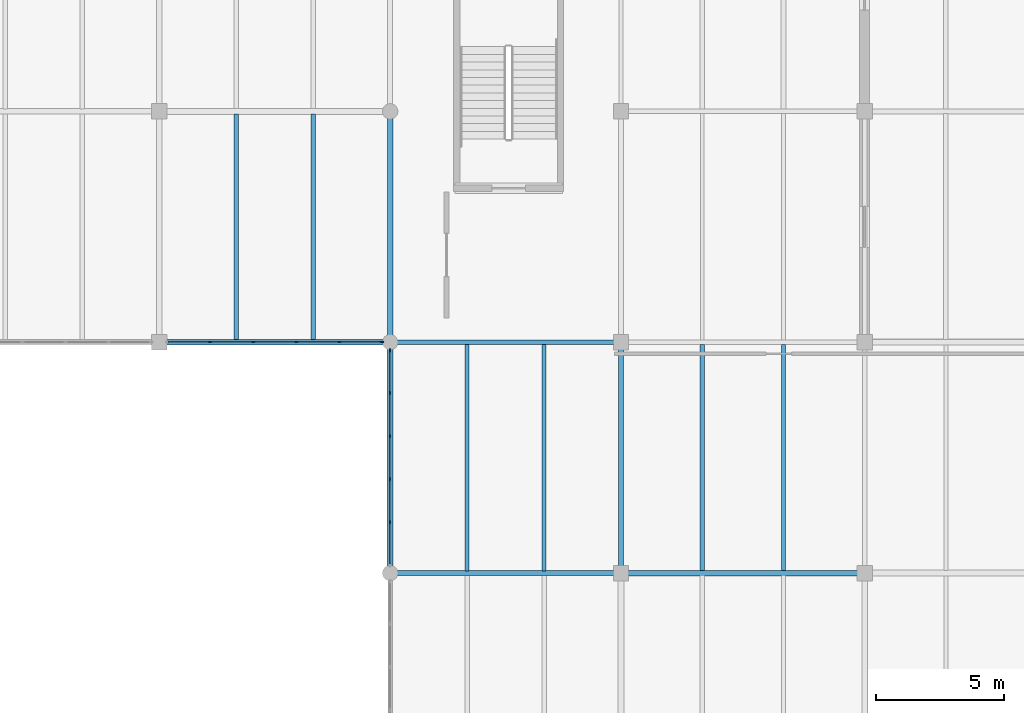
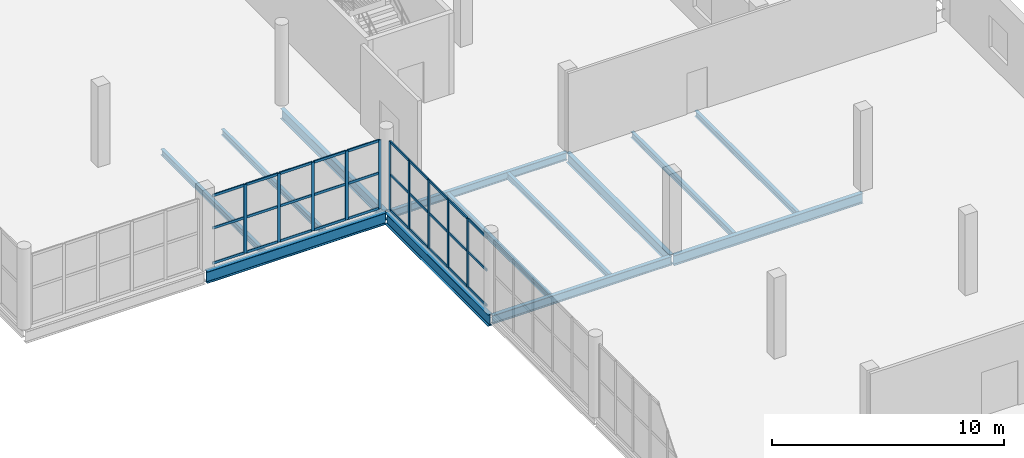
# One storey, part 43 of 73: 40 members, 13 beams, 2 elements without a shape of their own.
"""IFC4 building model written with IfcOpenShell, lengths in metres."""

from ifc_helpers import new_model, si_unit, direction, frame, origin, origin_2d, place, context, subcontext, project, spatial, rectangle, i_section, extrude, material, layer, layer_set, material_profile, profile_set, type_object, element, aggregate, save


model = new_model("IFC4")

# Units and contexts
model_context = context("Model", 3, precision=1e-05, world=origin(), true_north=direction((0.0, 1.0)))
body_context = subcontext(model_context, "Body", "Model", "MODEL_VIEW")
ifc_project = project(units=[si_unit("LENGTHUNIT", "METRE"), si_unit("AREAUNIT", "SQUARE_METRE"), si_unit("VOLUMEUNIT", "CUBIC_METRE"), si_unit("PLANEANGLEUNIT", "RADIAN"), si_unit("MASSUNIT", "GRAM", prefix="KILO")], contexts=[model_context])

# Site, building, storey
site_placement = place(None, origin())
site = spatial("IfcSite", under=ifc_project, at=site_placement, CompositionType="ELEMENT")
building_placement = place(site_placement, origin())
building = spatial("IfcBuilding", under=site, at=building_placement, Name="Marnock Terrace Opera House", CompositionType="ELEMENT")
storey_placement = place(building_placement, frame((0.0, 0.0, 14.699951171875)))
storey = spatial("IfcBuildingStorey", under=building, at=storey_placement, Name="L03", CompositionType="ELEMENT", Elevation=14.699951171875)

# Beams
ifc_material_1 = material(Name="Steel Grade 350 (AS/NZS 3679.1)", Category="steel")
ifc_material_profile_1 = material_profile(ifc_material_1, i_section(OverallWidth=0.177978515625, OverallDepth=0.402587890625, WebThickness=0.007568359375, FlangeThickness=0.010986328125, FilletRadius=0.011474609375, at=origin_2d()))
ifc_profile_set_1 = profile_set([ifc_material_profile_1], Name="Steel Grade 350 (AS/NZS 3679.1)")
beam_type_1 = type_object("IfcBeamType", Name="BM-GIRD-410", PredefinedType="BEAM", material=ifc_profile_set_1)
beam_1_placement = place(storey_placement, frame((136.050048828125, 66.0, -0.461181640625), z_axis=(1.0, 0.0, 0.0), x_axis=(0.0, 1.0, 0.0)))
element("IfcBeam", 1, at=beam_1_placement, inside=storey, type_object=beam_type_1, Name="L03 girder (136.0..145.0, Y=66.0)", PredefinedType="BEAM", context=body_context, shape_type="SweptSolid", body=[
    extrude(i_section(OverallWidth=0.177978515625, OverallDepth=0.402587890625, WebThickness=0.007568359375, FlangeThickness=0.010986328125, FilletRadius=0.011474609375, at=origin_2d()), origin(), (0.0, 0.0, 1.0), 8.89990234375),
])
ifc_material_profile_2 = material_profile(ifc_material_1, i_section(OverallWidth=0.19091796875, OverallDepth=0.46044921875, WebThickness=0.010009765625, FlangeThickness=0.01611328125, FilletRadius=0.011474609375, at=origin_2d()))
ifc_profile_set_2 = profile_set([ifc_material_profile_2], Name="Steel Grade 350 (AS/NZS 3679.1)")
beam_type_2 = type_object("IfcBeamType", Name="BM-GIRD-460A", PredefinedType="BEAM", material=ifc_profile_set_2)
beam_2_placement = place(storey_placement, frame((136.050048828125, 57.0, -0.490234375), z_axis=(1.0, 0.0, 0.0), x_axis=(0.0, 1.0, 0.0)))
element("IfcBeam", 2, at=beam_2_placement, inside=storey, type_object=beam_type_2, Name="L03 girder (136.0..145.0, Y=57.0)", PredefinedType="BEAM", context=body_context, shape_type="SweptSolid", body=[
    extrude(i_section(OverallWidth=0.19091796875, OverallDepth=0.46044921875, WebThickness=0.010009765625, FlangeThickness=0.01611328125, FilletRadius=0.011474609375, at=origin_2d()), origin(), (0.0, 0.0, 1.0), 8.89990234375),
])
ifc_material_profile_3 = material_profile(ifc_material_1, i_section(OverallWidth=0.208984375, OverallDepth=0.532958984375, WebThickness=0.01025390625, FlangeThickness=0.015625, FilletRadius=0.013916015625, at=origin_2d()))
ifc_profile_set_3 = profile_set([ifc_material_profile_3], Name="Steel Grade 350 (AS/NZS 3679.1)")
beam_type_3 = type_object("IfcBeamType", Name="BM-GIRD-530A", PredefinedType="BEAM", material=ifc_profile_set_3)
beam_3_placement = place(storey_placement, frame((145.050048828125, 57.0, -0.5263671875), z_axis=(1.0, 0.0, 0.0), x_axis=(0.0, 1.0, 0.0)))
element("IfcBeam", 3, at=beam_3_placement, inside=storey, type_object=beam_type_3, Name="L03 girder (145.0..154.5, Y=57.0)", PredefinedType="BEAM", context=body_context, shape_type="SweptSolid", body=[
    extrude(i_section(OverallWidth=0.208984375, OverallDepth=0.532958984375, WebThickness=0.01025390625, FlangeThickness=0.015625, FilletRadius=0.013916015625, at=origin_2d()), origin(), (0.0, 0.0, 1.0), 9.39990234375),
])
ifc_material_profile_4 = material_profile(ifc_material_1, i_section(OverallWidth=0.208984375, OverallDepth=0.528076171875, WebThickness=0.009521484375, FlangeThickness=0.01318359375, FilletRadius=0.013916015625, at=origin_2d()))
ifc_profile_set_4 = profile_set([ifc_material_profile_4], Name="Steel Grade 350 (AS/NZS 3679.1)")
beam_type_4 = type_object("IfcBeamType", Name="BM-GIRD-530B", PredefinedType="BEAM", material=ifc_profile_set_4)
for number, where, z_axis, x_axis, name in (
    (4, (136.0, 66.050048828125, -0.52392578125), (0.0, 1.0, 0.0), (-1.0, 0.0, 0.0), "L03 girder (X=136.0, 66.0..75.0)"),
    (5, (145.0, 57.050048828125, -0.52392578125), (0.0, 1.0, 0.0), (-1.0, 0.0, 0.0), "L03 girder (X=145.0, 57.0..66.0)"),
):
    element("IfcBeam", number, at=place(storey_placement, frame(where, z_axis=z_axis, x_axis=x_axis)), inside=storey, type_object=beam_type_4, Name=name, PredefinedType="BEAM", context=body_context, shape_type="SweptSolid", body=[
        extrude(i_section(OverallWidth=0.208984375, OverallDepth=0.528076171875, WebThickness=0.009521484375, FlangeThickness=0.01318359375, FilletRadius=0.013916015625, at=origin_2d()), origin(), (0.0, 0.0, 1.0), 8.89990234375),
    ])
ifc_material_profile_5 = material_profile(ifc_material_1, i_section(OverallWidth=0.22900390625, OverallDepth=0.611572265625, WebThickness=0.011962890625, FlangeThickness=0.01953125, FilletRadius=0.013916015625, at=origin_2d()))
ifc_profile_set_5 = profile_set([ifc_material_profile_5], Name="Steel Grade 350 (AS/NZS 3679.1)")
beam_type_5 = type_object("IfcBeamType", Name="BM-GIRD-610A", PredefinedType="BEAM", material=ifc_profile_set_5)
beam_4_placement = place(storey_placement, frame((127.050048828125, 66.0, -0.565673828125), z_axis=(1.0, 0.0, 0.0), x_axis=(0.0, 1.0, 0.0)))
element("IfcBeam", 6, at=beam_4_placement, inside=storey, type_object=beam_type_5, Name="L03 girder (127.0..136.0, Y=66.0)", PredefinedType="BEAM", context=body_context, shape_type="SweptSolid", body=[
    extrude(i_section(OverallWidth=0.22900390625, OverallDepth=0.611572265625, WebThickness=0.011962890625, FlangeThickness=0.01953125, FilletRadius=0.013916015625, at=origin_2d()), origin(), (0.0, 0.0, 1.0), 8.89990234375),
])
ifc_material_profile_6 = material_profile(ifc_material_1, i_section(OverallWidth=0.22802734375, OverallDepth=0.60205078125, WebThickness=0.010498046875, FlangeThickness=0.014892578125, FilletRadius=0.013916015625, at=origin_2d()))
ifc_profile_set_6 = profile_set([ifc_material_profile_6], Name="Steel Grade 350 (AS/NZS 3679.1)")
beam_type_6 = type_object("IfcBeamType", Name="BM-GIRD-610C", PredefinedType="BEAM", material=ifc_profile_set_6)
beam_5_placement = place(storey_placement, frame((136.0, 57.050048828125, -0.56103515625), z_axis=(0.0, 1.0, 0.0), x_axis=(-1.0, 0.0, 0.0)))
element("IfcBeam", 7, at=beam_5_placement, inside=storey, type_object=beam_type_6, Name="L03 girder (X=136.0, 57.0..66.0)", PredefinedType="BEAM", context=body_context, shape_type="SweptSolid", body=[
    extrude(i_section(OverallWidth=0.22802734375, OverallDepth=0.60205078125, WebThickness=0.010498046875, FlangeThickness=0.014892578125, FilletRadius=0.013916015625, at=origin_2d()), origin(), (0.0, 0.0, 1.0), 8.89990234375),
])
ifc_material_profile_7 = material_profile(ifc_material_1, i_section(OverallWidth=0.166015625, OverallDepth=0.30712890625, WebThickness=0.006591796875, FlangeThickness=0.01171875, FilletRadius=0.011474609375, at=origin_2d()))
ifc_profile_set_7 = profile_set([ifc_material_profile_7], Name="Steel Grade 350 (AS/NZS 3679.1)")
beam_type_7 = type_object("IfcBeamType", Name="BM-JOIST-310A", PredefinedType="JOIST", material=ifc_profile_set_7)
for number, where, z_axis, x_axis, name in (
    (8, (130.0, 66.109619140625, -0.41357421875), (0.0, 1.0, 0.0), (-1.0, 0.0, 0.0), "L03 secondary joist 14.8.1"),
    (9, (133.0, 66.109619140625, -0.41357421875), (0.0, 1.0, 0.0), (-1.0, 0.0, 0.0), "L03 secondary joist 14.8.2"),
):
    element("IfcBeam", number, at=place(storey_placement, frame(where, z_axis=z_axis, x_axis=x_axis)), inside=storey, type_object=beam_type_7, Name=name, PredefinedType="JOIST", context=body_context, shape_type="SweptSolid", body=[
        extrude(i_section(OverallWidth=0.166015625, OverallDepth=0.30712890625, WebThickness=0.006591796875, FlangeThickness=0.01171875, FilletRadius=0.011474609375, at=origin_2d()), origin(), (0.0, 0.0, 1.0), 8.781494140625),
    ])
for number, where, z_axis, x_axis, name in (
    (10, (139.0, 57.090576171875, -0.41357421875), (0.0, 1.0, 0.0), (-1.0, 0.0, 0.0), "L03 secondary joist 15.7.1"),
    (11, (142.0, 57.090576171875, -0.41357421875), (0.0, 1.0, 0.0), (-1.0, 0.0, 0.0), "L03 secondary joist 15.7.2"),
):
    element("IfcBeam", number, at=place(storey_placement, frame(where, z_axis=z_axis, x_axis=x_axis)), inside=storey, type_object=beam_type_7, Name=name, PredefinedType="JOIST", context=body_context, shape_type="SweptSolid", body=[
        extrude(i_section(OverallWidth=0.166015625, OverallDepth=0.30712890625, WebThickness=0.006591796875, FlangeThickness=0.01171875, FilletRadius=0.011474609375, at=origin_2d()), origin(), (0.0, 0.0, 1.0), 8.825439453125),
    ])
ifc_material_profile_8 = material_profile(ifc_material_1, i_section(OverallWidth=0.1650390625, OverallDepth=0.3037109375, WebThickness=0.006103515625, FlangeThickness=0.01025390625, FilletRadius=0.011474609375, at=origin_2d()))
ifc_profile_set_8 = profile_set([ifc_material_profile_8], Name="Steel Grade 350 (AS/NZS 3679.1)")
beam_type_8 = type_object("IfcBeamType", Name="BM-JOIST-310B", PredefinedType="JOIST", material=ifc_profile_set_8)
for number, where, z_axis, x_axis, name in (
    (12, (148.166748046875, 57.099609375, -0.411865234375), (0.0, 1.0, 0.0), (-1.0, 0.0, 0.0), "L03 secondary joist 16.7.1"),
    (13, (151.333251953125, 57.099609375, -0.411865234375), (0.0, 1.0, 0.0), (-1.0, 0.0, 0.0), "L03 secondary joist 16.7.2"),
):
    element("IfcBeam", number, at=place(storey_placement, frame(where, z_axis=z_axis, x_axis=x_axis)), inside=storey, type_object=beam_type_8, Name=name, PredefinedType="JOIST", context=body_context, shape_type="SweptSolid", body=[
        extrude(i_section(OverallWidth=0.1650390625, OverallDepth=0.3037109375, WebThickness=0.006103515625, FlangeThickness=0.01025390625, FilletRadius=0.011474609375, at=origin_2d()), origin(), (0.0, 0.0, 1.0), 8.809814453125),
    ])

# Curtain wall, members
ifc_material_2 = material(Name="Anodised architectural bronze aluminium framing", Category="aluminium")
ifc_layer = layer(ifc_material_2, 0.159912109375)
ifc_layer_set = layer_set([ifc_layer], Name="Anodised architectural bronze aluminium framing")
curtain_wall_type = type_object("IfcCurtainWallType", Name="CW-LOGGIA-86x42", PredefinedType="NOTDEFINED", material=ifc_layer_set)
curtain_wall_1_placement = place(storey_placement, origin())
curtain_wall_1 = element("IfcCurtainWall", 14, at=curtain_wall_1_placement, inside=storey, type_object=curtain_wall_type, Name="L03 glazed Beaux-Arts colonnade curtain wall CW-V5-L03-CE3", PredefinedType="NOTDEFINED")
ifc_material_profile_9 = material_profile(ifc_material_2, rectangle(XDim=0.06005859375, YDim=0.14990234375, at=origin_2d()))
ifc_profile_set_9 = profile_set([ifc_material_profile_9], Name="Anodised architectural bronze aluminium framing")
member_type_1 = type_object("IfcMemberType", Name="CWM-60x150", PredefinedType="MULLION", material=ifc_profile_set_9)
member_1_placement = place(storey_placement, frame((136.0, 58.9775390625, 0.0), z_axis=(0.0, 0.0, 1.0), x_axis=(-1.0, 0.0, 0.0)))
member_1 = element("IfcMember", 15, at=member_1_placement, type_object=member_type_1, Name="CW-66 mullion 2", PredefinedType="MULLION", context=body_context, shape_type="SweptSolid", body=[
    extrude(rectangle(XDim=0.06005859375, YDim=0.14990234375, at=origin_2d()), origin(), (0.0, 0.0, 1.0), 3.6181640625),
])
member_2_placement = place(storey_placement, frame((136.0, 60.6591796875, 0.0), z_axis=(0.0, 0.0, 1.0), x_axis=(-1.0, 0.0, 0.0)))
member_2 = element("IfcMember", 16, at=member_2_placement, type_object=member_type_1, Name="CW-66 mullion 3", PredefinedType="MULLION", context=body_context, shape_type="SweptSolid", body=[
    extrude(rectangle(XDim=0.06005859375, YDim=0.14990234375, at=origin_2d()), origin(), (0.0, 0.0, 1.0), 3.6181640625),
])
member_3_placement = place(storey_placement, frame((136.0, 62.3408203125, 0.0), z_axis=(0.0, 0.0, 1.0), x_axis=(-1.0, 0.0, 0.0)))
member_3 = element("IfcMember", 17, at=member_3_placement, type_object=member_type_1, Name="CW-66 mullion 4", PredefinedType="MULLION", context=body_context, shape_type="SweptSolid", body=[
    extrude(rectangle(XDim=0.06005859375, YDim=0.14990234375, at=origin_2d()), origin(), (0.0, 0.0, 1.0), 3.6181640625),
])
member_4_placement = place(storey_placement, frame((136.0, 64.0224609375, 0.0), z_axis=(0.0, 0.0, 1.0), x_axis=(-1.0, 0.0, 0.0)))
member_4 = element("IfcMember", 18, at=member_4_placement, type_object=member_type_1, Name="CW-66 mullion 5", PredefinedType="MULLION", context=body_context, shape_type="SweptSolid", body=[
    extrude(rectangle(XDim=0.06005859375, YDim=0.14990234375, at=origin_2d()), origin(), (0.0, 0.0, 1.0), 3.6181640625),
])
member_5_placement = place(storey_placement, frame((136.0, 65.674072265625, 0.0), z_axis=(0.0, 0.0, 1.0), x_axis=(-1.0, 0.0, 0.0)))
member_5 = element("IfcMember", 19, at=member_5_placement, type_object=member_type_1, Name="CW-66 mullion 6", PredefinedType="MULLION", context=body_context, shape_type="SweptSolid", body=[
    extrude(rectangle(XDim=0.06005859375, YDim=0.14990234375, at=origin_2d()), origin(), (0.0, 0.0, 1.0), 3.6181640625),
])

curtain_wall_2_placement = place(storey_placement, origin())
curtain_wall_2 = element("IfcCurtainWall", 20, at=curtain_wall_2_placement, inside=storey, type_object=curtain_wall_type, Name="L03 glazed Beaux-Arts colonnade curtain wall CW-V5-L03-CN2", PredefinedType="NOTDEFINED")
member_6_placement = place(storey_placement, frame((128.9775390625, 66.0, 0.0), z_axis=(0.0, 0.0, 1.0), x_axis=(0.0, 1.0, 0.0)))
member_6 = element("IfcMember", 21, at=member_6_placement, type_object=member_type_1, Name="CW-66 mullion 2", PredefinedType="MULLION", context=body_context, shape_type="SweptSolid", body=[
    extrude(rectangle(XDim=0.06005859375, YDim=0.14990234375, at=origin_2d()), origin(), (0.0, 0.0, 1.0), 3.6083984375),
])
member_7_placement = place(storey_placement, frame((130.6591796875, 66.0, 0.0), z_axis=(0.0, 0.0, 1.0), x_axis=(0.0, 1.0, 0.0)))
member_7 = element("IfcMember", 22, at=member_7_placement, type_object=member_type_1, Name="CW-66 mullion 3", PredefinedType="MULLION", context=body_context, shape_type="SweptSolid", body=[
    extrude(rectangle(XDim=0.06005859375, YDim=0.14990234375, at=origin_2d()), origin(), (0.0, 0.0, 1.0), 3.6083984375),
])
member_8_placement = place(storey_placement, frame((132.3408203125, 66.0, 0.0), z_axis=(0.0, 0.0, 1.0), x_axis=(0.0, 1.0, 0.0)))
member_8 = element("IfcMember", 23, at=member_8_placement, type_object=member_type_1, Name="CW-66 mullion 4", PredefinedType="MULLION", context=body_context, shape_type="SweptSolid", body=[
    extrude(rectangle(XDim=0.06005859375, YDim=0.14990234375, at=origin_2d()), origin(), (0.0, 0.0, 1.0), 3.6083984375),
])
member_9_placement = place(storey_placement, frame((134.0224609375, 66.0, 0.0), z_axis=(0.0, 0.0, 1.0), x_axis=(0.0, 1.0, 0.0)))
member_9 = element("IfcMember", 24, at=member_9_placement, type_object=member_type_1, Name="CW-66 mullion 5", PredefinedType="MULLION", context=body_context, shape_type="SweptSolid", body=[
    extrude(rectangle(XDim=0.06005859375, YDim=0.14990234375, at=origin_2d()), origin(), (0.0, 0.0, 1.0), 3.6083984375),
])
member_10_placement = place(storey_placement, frame((135.674072265625, 66.0, 0.0), z_axis=(0.0, 0.0, 1.0), x_axis=(0.0, 1.0, 0.0)))
member_10 = element("IfcMember", 25, at=member_10_placement, type_object=member_type_1, Name="CW-66 mullion 6", PredefinedType="MULLION", context=body_context, shape_type="SweptSolid", body=[
    extrude(rectangle(XDim=0.06005859375, YDim=0.14990234375, at=origin_2d()), origin(), (0.0, 0.0, 1.0), 3.6083984375),
])

# Member
ifc_material_profile_10 = material_profile(ifc_material_2, rectangle(XDim=0.06005859375, YDim=0.1298828125, at=origin_2d()))
ifc_profile_set_10 = profile_set([ifc_material_profile_10], Name="Anodised architectural bronze aluminium framing")
member_type_2 = type_object("IfcMemberType", Name="CWT-60x130", PredefinedType="USERDEFINED", material=ifc_profile_set_10)
member_11_placement = place(storey_placement, frame((136.0, 57.35595703125, 0.030029296875), z_axis=(0.0, 1.0, 0.0), x_axis=(-1.0, 0.0, 0.0)))
member_11 = element("IfcMember", 26, at=member_11_placement, type_object=member_type_2, Name="CW-66 transom 1.1", ObjectType="TRANSOM", PredefinedType="USERDEFINED", context=body_context, shape_type="SweptSolid", body=[
    extrude(rectangle(XDim=0.06005859375, YDim=0.1298828125, at=origin_2d()), origin(), (0.0, 0.0, 1.0), 1.591552734375),
])

member_12_placement = place(storey_placement, frame((136.0, 57.35595703125, 1.88134765625), z_axis=(0.0, 1.0, 0.0), x_axis=(-1.0, 0.0, 0.0)))
member_12 = element("IfcMember", 27, at=member_12_placement, type_object=member_type_2, Name="CW-66 transom 1.2", ObjectType="TRANSOM", PredefinedType="USERDEFINED", context=body_context, shape_type="SweptSolid", body=[
    extrude(rectangle(XDim=0.06005859375, YDim=0.1298828125, at=origin_2d()), origin(), (0.0, 0.0, 1.0), 1.591552734375),
])

member_13_placement = place(storey_placement, frame((136.0, 57.35595703125, 3.588134765625), z_axis=(0.0, 1.0, 0.0), x_axis=(-1.0, 0.0, 0.0)))
member_13 = element("IfcMember", 28, at=member_13_placement, type_object=member_type_2, Name="CW-66 transom 1.3", ObjectType="TRANSOM", PredefinedType="USERDEFINED", context=body_context, shape_type="SweptSolid", body=[
    extrude(rectangle(XDim=0.06005859375, YDim=0.1298828125, at=origin_2d()), origin(), (0.0, 0.0, 1.0), 1.591552734375),
])

member_14_placement = place(storey_placement, frame((136.0, 59.007568359375, 0.030029296875), z_axis=(0.0, 1.0, 0.0), x_axis=(-1.0, 0.0, 0.0)))
member_14 = element("IfcMember", 29, at=member_14_placement, type_object=member_type_2, Name="CW-66 transom 2.1", ObjectType="TRANSOM", PredefinedType="USERDEFINED", context=body_context, shape_type="SweptSolid", body=[
    extrude(rectangle(XDim=0.06005859375, YDim=0.1298828125, at=origin_2d()), origin(), (0.0, 0.0, 1.0), 1.62158203125),
])

member_15_placement = place(storey_placement, frame((136.0, 59.007568359375, 1.88134765625), z_axis=(0.0, 1.0, 0.0), x_axis=(-1.0, 0.0, 0.0)))
member_15 = element("IfcMember", 30, at=member_15_placement, type_object=member_type_2, Name="CW-66 transom 2.2", ObjectType="TRANSOM", PredefinedType="USERDEFINED", context=body_context, shape_type="SweptSolid", body=[
    extrude(rectangle(XDim=0.06005859375, YDim=0.1298828125, at=origin_2d()), origin(), (0.0, 0.0, 1.0), 1.62158203125),
])

member_16_placement = place(storey_placement, frame((136.0, 59.007568359375, 3.588134765625), z_axis=(0.0, 1.0, 0.0), x_axis=(-1.0, 0.0, 0.0)))
member_16 = element("IfcMember", 31, at=member_16_placement, type_object=member_type_2, Name="CW-66 transom 2.3", ObjectType="TRANSOM", PredefinedType="USERDEFINED", context=body_context, shape_type="SweptSolid", body=[
    extrude(rectangle(XDim=0.06005859375, YDim=0.1298828125, at=origin_2d()), origin(), (0.0, 0.0, 1.0), 1.62158203125),
])

member_17_placement = place(storey_placement, frame((136.0, 60.689208984375, 0.030029296875), z_axis=(0.0, 1.0, 0.0), x_axis=(-1.0, 0.0, 0.0)))
member_17 = element("IfcMember", 32, at=member_17_placement, type_object=member_type_2, Name="CW-66 transom 3.1", ObjectType="TRANSOM", PredefinedType="USERDEFINED", context=body_context, shape_type="SweptSolid", body=[
    extrude(rectangle(XDim=0.06005859375, YDim=0.1298828125, at=origin_2d()), origin(), (0.0, 0.0, 1.0), 1.62158203125),
])

member_18_placement = place(storey_placement, frame((136.0, 60.689208984375, 1.88134765625), z_axis=(0.0, 1.0, 0.0), x_axis=(-1.0, 0.0, 0.0)))
member_18 = element("IfcMember", 33, at=member_18_placement, type_object=member_type_2, Name="CW-66 transom 3.2", ObjectType="TRANSOM", PredefinedType="USERDEFINED", context=body_context, shape_type="SweptSolid", body=[
    extrude(rectangle(XDim=0.06005859375, YDim=0.1298828125, at=origin_2d()), origin(), (0.0, 0.0, 1.0), 1.62158203125),
])

member_19_placement = place(storey_placement, frame((136.0, 60.689208984375, 3.588134765625), z_axis=(0.0, 1.0, 0.0), x_axis=(-1.0, 0.0, 0.0)))
member_19 = element("IfcMember", 34, at=member_19_placement, type_object=member_type_2, Name="CW-66 transom 3.3", ObjectType="TRANSOM", PredefinedType="USERDEFINED", context=body_context, shape_type="SweptSolid", body=[
    extrude(rectangle(XDim=0.06005859375, YDim=0.1298828125, at=origin_2d()), origin(), (0.0, 0.0, 1.0), 1.62158203125),
])

member_20_placement = place(storey_placement, frame((136.0, 62.370849609375, 0.030029296875), z_axis=(0.0, 1.0, 0.0), x_axis=(-1.0, 0.0, 0.0)))
member_20 = element("IfcMember", 35, at=member_20_placement, type_object=member_type_2, Name="CW-66 transom 4.1", ObjectType="TRANSOM", PredefinedType="USERDEFINED", context=body_context, shape_type="SweptSolid", body=[
    extrude(rectangle(XDim=0.06005859375, YDim=0.1298828125, at=origin_2d()), origin(), (0.0, 0.0, 1.0), 1.62158203125),
])

member_21_placement = place(storey_placement, frame((136.0, 62.370849609375, 1.88134765625), z_axis=(0.0, 1.0, 0.0), x_axis=(-1.0, 0.0, 0.0)))
member_21 = element("IfcMember", 36, at=member_21_placement, type_object=member_type_2, Name="CW-66 transom 4.2", ObjectType="TRANSOM", PredefinedType="USERDEFINED", context=body_context, shape_type="SweptSolid", body=[
    extrude(rectangle(XDim=0.06005859375, YDim=0.1298828125, at=origin_2d()), origin(), (0.0, 0.0, 1.0), 1.62158203125),
])

member_22_placement = place(storey_placement, frame((136.0, 62.370849609375, 3.588134765625), z_axis=(0.0, 1.0, 0.0), x_axis=(-1.0, 0.0, 0.0)))
member_22 = element("IfcMember", 37, at=member_22_placement, type_object=member_type_2, Name="CW-66 transom 4.3", ObjectType="TRANSOM", PredefinedType="USERDEFINED", context=body_context, shape_type="SweptSolid", body=[
    extrude(rectangle(XDim=0.06005859375, YDim=0.1298828125, at=origin_2d()), origin(), (0.0, 0.0, 1.0), 1.62158203125),
])

member_23_placement = place(storey_placement, frame((136.0, 64.052490234375, 0.030029296875), z_axis=(0.0, 1.0, 0.0), x_axis=(-1.0, 0.0, 0.0)))
member_23 = element("IfcMember", 38, at=member_23_placement, type_object=member_type_2, Name="CW-66 transom 5.1", ObjectType="TRANSOM", PredefinedType="USERDEFINED", context=body_context, shape_type="SweptSolid", body=[
    extrude(rectangle(XDim=0.06005859375, YDim=0.1298828125, at=origin_2d()), origin(), (0.0, 0.0, 1.0), 1.591552734375),
])

member_24_placement = place(storey_placement, frame((136.0, 64.052490234375, 1.88134765625), z_axis=(0.0, 1.0, 0.0), x_axis=(-1.0, 0.0, 0.0)))
member_24 = element("IfcMember", 39, at=member_24_placement, type_object=member_type_2, Name="CW-66 transom 5.2", ObjectType="TRANSOM", PredefinedType="USERDEFINED", context=body_context, shape_type="SweptSolid", body=[
    extrude(rectangle(XDim=0.06005859375, YDim=0.1298828125, at=origin_2d()), origin(), (0.0, 0.0, 1.0), 1.591552734375),
])

member_25_placement = place(storey_placement, frame((136.0, 64.052490234375, 3.588134765625), z_axis=(0.0, 1.0, 0.0), x_axis=(-1.0, 0.0, 0.0)))
member_25 = element("IfcMember", 40, at=member_25_placement, type_object=member_type_2, Name="CW-66 transom 5.3", ObjectType="TRANSOM", PredefinedType="USERDEFINED", context=body_context, shape_type="SweptSolid", body=[
    extrude(rectangle(XDim=0.06005859375, YDim=0.1298828125, at=origin_2d()), origin(), (0.0, 0.0, 1.0), 1.591552734375),
])

aggregate(curtain_wall_1, [member_1, member_2, member_3, member_4, member_5, member_11, member_12, member_13, member_14, member_15, member_16, member_17, member_18, member_19, member_20, member_21, member_22, member_23, member_24, member_25])

member_26_placement = place(storey_placement, frame((127.35595703125, 66.0, 0.030029296875), z_axis=(1.0, 0.0, 0.0), x_axis=(0.0, 1.0, 0.0)))
member_26 = element("IfcMember", 41, at=member_26_placement, type_object=member_type_2, Name="CW-66 transom 1.1", ObjectType="TRANSOM", PredefinedType="USERDEFINED", context=body_context, shape_type="SweptSolid", body=[
    extrude(rectangle(XDim=0.06005859375, YDim=0.1298828125, at=origin_2d()), origin(), (0.0, 0.0, 1.0), 1.591552734375),
])

member_27_placement = place(storey_placement, frame((127.35595703125, 66.0, 1.87646484375), z_axis=(1.0, 0.0, 0.0), x_axis=(0.0, 1.0, 0.0)))
member_27 = element("IfcMember", 42, at=member_27_placement, type_object=member_type_2, Name="CW-66 transom 1.2", ObjectType="TRANSOM", PredefinedType="USERDEFINED", context=body_context, shape_type="SweptSolid", body=[
    extrude(rectangle(XDim=0.06005859375, YDim=0.1298828125, at=origin_2d()), origin(), (0.0, 0.0, 1.0), 1.591552734375),
])

member_28_placement = place(storey_placement, frame((127.35595703125, 66.0, 3.578369140625), z_axis=(1.0, 0.0, 0.0), x_axis=(0.0, 1.0, 0.0)))
member_28 = element("IfcMember", 43, at=member_28_placement, type_object=member_type_2, Name="CW-66 transom 1.3", ObjectType="TRANSOM", PredefinedType="USERDEFINED", context=body_context, shape_type="SweptSolid", body=[
    extrude(rectangle(XDim=0.06005859375, YDim=0.1298828125, at=origin_2d()), origin(), (0.0, 0.0, 1.0), 1.591552734375),
])

member_29_placement = place(storey_placement, frame((129.007568359375, 66.0, 0.030029296875), z_axis=(1.0, 0.0, 0.0), x_axis=(0.0, 1.0, 0.0)))
member_29 = element("IfcMember", 44, at=member_29_placement, type_object=member_type_2, Name="CW-66 transom 2.1", ObjectType="TRANSOM", PredefinedType="USERDEFINED", context=body_context, shape_type="SweptSolid", body=[
    extrude(rectangle(XDim=0.06005859375, YDim=0.1298828125, at=origin_2d()), origin(), (0.0, 0.0, 1.0), 1.62158203125),
])

member_30_placement = place(storey_placement, frame((129.007568359375, 66.0, 1.87646484375), z_axis=(1.0, 0.0, 0.0), x_axis=(0.0, 1.0, 0.0)))
member_30 = element("IfcMember", 45, at=member_30_placement, type_object=member_type_2, Name="CW-66 transom 2.2", ObjectType="TRANSOM", PredefinedType="USERDEFINED", context=body_context, shape_type="SweptSolid", body=[
    extrude(rectangle(XDim=0.06005859375, YDim=0.1298828125, at=origin_2d()), origin(), (0.0, 0.0, 1.0), 1.62158203125),
])

member_31_placement = place(storey_placement, frame((129.007568359375, 66.0, 3.578369140625), z_axis=(1.0, 0.0, 0.0), x_axis=(0.0, 1.0, 0.0)))
member_31 = element("IfcMember", 46, at=member_31_placement, type_object=member_type_2, Name="CW-66 transom 2.3", ObjectType="TRANSOM", PredefinedType="USERDEFINED", context=body_context, shape_type="SweptSolid", body=[
    extrude(rectangle(XDim=0.06005859375, YDim=0.1298828125, at=origin_2d()), origin(), (0.0, 0.0, 1.0), 1.62158203125),
])

member_32_placement = place(storey_placement, frame((130.689208984375, 66.0, 0.030029296875), z_axis=(1.0, 0.0, 0.0), x_axis=(0.0, 1.0, 0.0)))
member_32 = element("IfcMember", 47, at=member_32_placement, type_object=member_type_2, Name="CW-66 transom 3.1", ObjectType="TRANSOM", PredefinedType="USERDEFINED", context=body_context, shape_type="SweptSolid", body=[
    extrude(rectangle(XDim=0.06005859375, YDim=0.1298828125, at=origin_2d()), origin(), (0.0, 0.0, 1.0), 1.62158203125),
])

member_33_placement = place(storey_placement, frame((130.689208984375, 66.0, 1.87646484375), z_axis=(1.0, 0.0, 0.0), x_axis=(0.0, 1.0, 0.0)))
member_33 = element("IfcMember", 48, at=member_33_placement, type_object=member_type_2, Name="CW-66 transom 3.2", ObjectType="TRANSOM", PredefinedType="USERDEFINED", context=body_context, shape_type="SweptSolid", body=[
    extrude(rectangle(XDim=0.06005859375, YDim=0.1298828125, at=origin_2d()), origin(), (0.0, 0.0, 1.0), 1.62158203125),
])

member_34_placement = place(storey_placement, frame((130.689208984375, 66.0, 3.578369140625), z_axis=(1.0, 0.0, 0.0), x_axis=(0.0, 1.0, 0.0)))
member_34 = element("IfcMember", 49, at=member_34_placement, type_object=member_type_2, Name="CW-66 transom 3.3", ObjectType="TRANSOM", PredefinedType="USERDEFINED", context=body_context, shape_type="SweptSolid", body=[
    extrude(rectangle(XDim=0.06005859375, YDim=0.1298828125, at=origin_2d()), origin(), (0.0, 0.0, 1.0), 1.62158203125),
])

member_35_placement = place(storey_placement, frame((132.370849609375, 66.0, 0.030029296875), z_axis=(1.0, 0.0, 0.0), x_axis=(0.0, 1.0, 0.0)))
member_35 = element("IfcMember", 50, at=member_35_placement, type_object=member_type_2, Name="CW-66 transom 4.1", ObjectType="TRANSOM", PredefinedType="USERDEFINED", context=body_context, shape_type="SweptSolid", body=[
    extrude(rectangle(XDim=0.06005859375, YDim=0.1298828125, at=origin_2d()), origin(), (0.0, 0.0, 1.0), 1.62158203125),
])

member_36_placement = place(storey_placement, frame((132.370849609375, 66.0, 1.87646484375), z_axis=(1.0, 0.0, 0.0), x_axis=(0.0, 1.0, 0.0)))
member_36 = element("IfcMember", 51, at=member_36_placement, type_object=member_type_2, Name="CW-66 transom 4.2", ObjectType="TRANSOM", PredefinedType="USERDEFINED", context=body_context, shape_type="SweptSolid", body=[
    extrude(rectangle(XDim=0.06005859375, YDim=0.1298828125, at=origin_2d()), origin(), (0.0, 0.0, 1.0), 1.62158203125),
])

member_37_placement = place(storey_placement, frame((132.370849609375, 66.0, 3.578369140625), z_axis=(1.0, 0.0, 0.0), x_axis=(0.0, 1.0, 0.0)))
member_37 = element("IfcMember", 52, at=member_37_placement, type_object=member_type_2, Name="CW-66 transom 4.3", ObjectType="TRANSOM", PredefinedType="USERDEFINED", context=body_context, shape_type="SweptSolid", body=[
    extrude(rectangle(XDim=0.06005859375, YDim=0.1298828125, at=origin_2d()), origin(), (0.0, 0.0, 1.0), 1.62158203125),
])

member_38_placement = place(storey_placement, frame((134.052490234375, 66.0, 0.030029296875), z_axis=(1.0, 0.0, 0.0), x_axis=(0.0, 1.0, 0.0)))
member_38 = element("IfcMember", 53, at=member_38_placement, type_object=member_type_2, Name="CW-66 transom 5.1", ObjectType="TRANSOM", PredefinedType="USERDEFINED", context=body_context, shape_type="SweptSolid", body=[
    extrude(rectangle(XDim=0.06005859375, YDim=0.1298828125, at=origin_2d()), origin(), (0.0, 0.0, 1.0), 1.591552734375),
])

member_39_placement = place(storey_placement, frame((134.052490234375, 66.0, 1.87646484375), z_axis=(1.0, 0.0, 0.0), x_axis=(0.0, 1.0, 0.0)))
member_39 = element("IfcMember", 54, at=member_39_placement, type_object=member_type_2, Name="CW-66 transom 5.2", ObjectType="TRANSOM", PredefinedType="USERDEFINED", context=body_context, shape_type="SweptSolid", body=[
    extrude(rectangle(XDim=0.06005859375, YDim=0.1298828125, at=origin_2d()), origin(), (0.0, 0.0, 1.0), 1.591552734375),
])

member_40_placement = place(storey_placement, frame((134.052490234375, 66.0, 3.578369140625), z_axis=(1.0, 0.0, 0.0), x_axis=(0.0, 1.0, 0.0)))
member_40 = element("IfcMember", 55, at=member_40_placement, type_object=member_type_2, Name="CW-66 transom 5.3", ObjectType="TRANSOM", PredefinedType="USERDEFINED", context=body_context, shape_type="SweptSolid", body=[
    extrude(rectangle(XDim=0.06005859375, YDim=0.1298828125, at=origin_2d()), origin(), (0.0, 0.0, 1.0), 1.591552734375),
])

aggregate(curtain_wall_2, [member_6, member_7, member_8, member_9, member_10, member_26, member_27, member_28, member_29, member_30, member_31, member_32, member_33, member_34, member_35, member_36, member_37, member_38, member_39, member_40])

save(model, "model.ifc")
